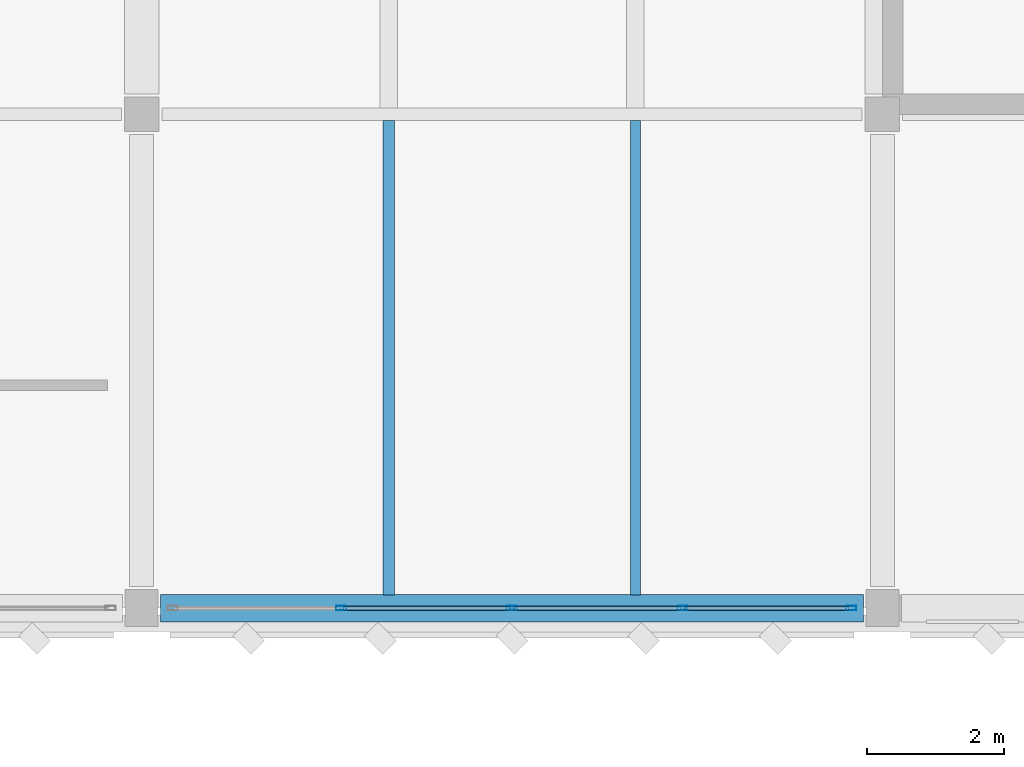
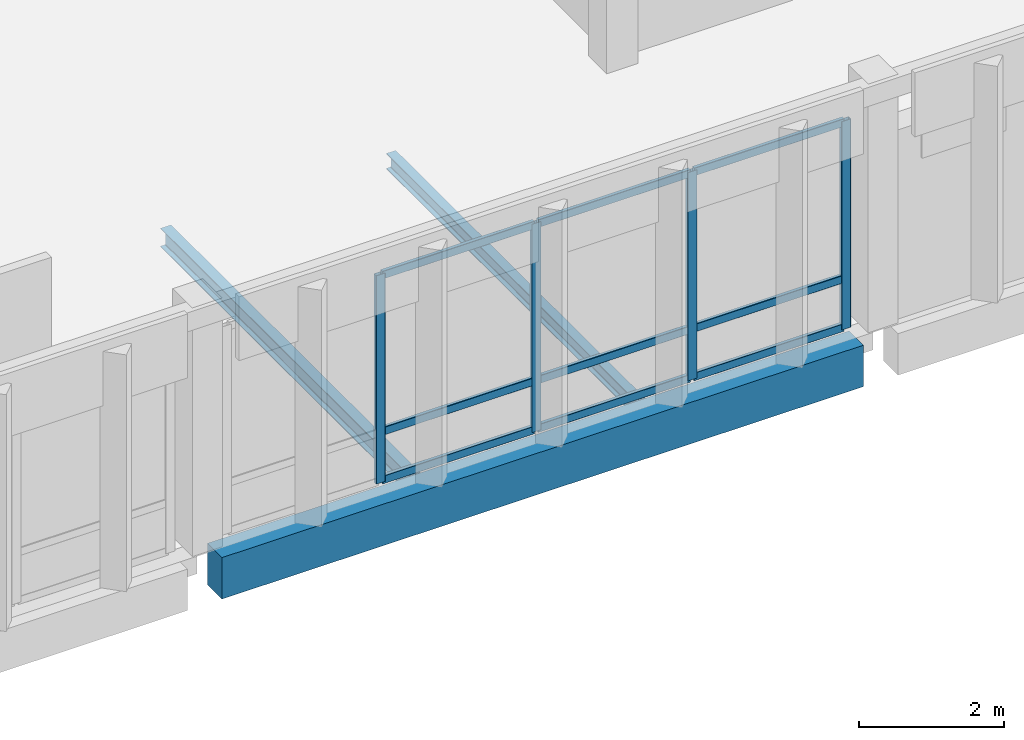
# One storey, part 26 of 72: 13 members, 3 beams, 1 element without a shape of its own.
"""IFC4 building model written with IfcOpenShell, lengths in metres."""

from ifc_helpers import new_model, si_unit, direction, frame, origin, origin_2d, place, context, subcontext, project, spatial, rectangle, hollow_rectangle, i_section, extrude, material, material_profile, profile_set, type_object, element, aggregate, save


model = new_model("IFC4")

# Units and contexts
model_context = context("Model", 3, precision=1e-05, world=origin(), true_north=direction((0.0, 1.0)))
body_context = subcontext(model_context, "Body", "Model", "MODEL_VIEW")
ifc_project = project(units=[si_unit("LENGTHUNIT", "METRE"), si_unit("AREAUNIT", "SQUARE_METRE"), si_unit("VOLUMEUNIT", "CUBIC_METRE"), si_unit("PLANEANGLEUNIT", "RADIAN"), si_unit("MASSUNIT", "GRAM", prefix="KILO")], contexts=[model_context])

# Site, building, storey
site_placement = place(None, origin())
site = spatial("IfcSite", under=ifc_project, at=site_placement, CompositionType="ELEMENT")
building_placement = place(site_placement, origin())
building = spatial("IfcBuilding", under=site, at=building_placement, Name="Lusvemor Sports Hall", CompositionType="ELEMENT")
storey_placement = place(building_placement, frame((0.0, 0.0, 15.0)))
storey = spatial("IfcBuildingStorey", under=building, at=storey_placement, Name="L03", CompositionType="ELEMENT", Elevation=15.0)

# Curtain wall, members
ifc_material_1 = material(Name="Thermally broken bronze-anodized aluminium", Category="aluminium")
curtain_wall_type = type_object("IfcCurtainWallType", Name="CW_WING_B", PredefinedType="NOTDEFINED", material=ifc_material_1)
curtain_wall_placement = place(storey_placement, origin())
curtain_wall = element("IfcCurtainWall", 1, at=curtain_wall_placement, inside=storey, type_object=curtain_wall_type, Name="Curtain Wall CW-L03-S-3-2", PredefinedType="NOTDEFINED")
ifc_material_2 = material(Name="Thermally broken bronze-anodized aluminium", Category="aluminium")
ifc_material_profile_1 = material_profile(ifc_material_2, hollow_rectangle(XDim=0.06494140625, YDim=0.14990234375, WallThickness=0.00390625, InnerFilletRadius=0.00390625, OuterFilletRadius=0.008056640625, at=origin_2d()), Name="CWMUL150x65x4")
ifc_profile_set_1 = profile_set([ifc_material_profile_1], Name="Thermally broken bronze-anodized aluminium")
member_type_1 = type_object("IfcMemberType", Name="CW_MUL_B", PredefinedType="MULLION", material=ifc_profile_set_1)
member_1_placement = place(storey_placement, frame((53.547607421875, 97.199951171875, 0.0), z_axis=(0.0, 0.0, 1.0), x_axis=(0.0, -1.0, 0.0)))
member_1 = element("IfcMember", 2, at=member_1_placement, type_object=member_type_1, Name="CW02 mullion 1", PredefinedType="MULLION", context=body_context, shape_type="SweptSolid", body=[
    extrude(hollow_rectangle(XDim=0.06494140625, YDim=0.14990234375, WallThickness=0.00390625, InnerFilletRadius=0.00390625, OuterFilletRadius=0.008056640625, at=origin_2d()), origin(), (0.0, 0.0, 1.0), 3.52001953125),
])
member_2_placement = place(storey_placement, frame((51.090087890625, 97.199951171875, 0.0), z_axis=(0.0, 0.0, 1.0), x_axis=(0.0, -1.0, 0.0)))
member_2 = element("IfcMember", 3, at=member_2_placement, type_object=member_type_1, Name="CW02 mullion 2", PredefinedType="MULLION", context=body_context, shape_type="SweptSolid", body=[
    extrude(hollow_rectangle(XDim=0.06494140625, YDim=0.14990234375, WallThickness=0.00390625, InnerFilletRadius=0.00390625, OuterFilletRadius=0.008056640625, at=origin_2d()), origin(), (0.0, 0.0, 1.0), 3.52001953125),
])
member_3_placement = place(storey_placement, frame((48.60009765625, 97.199951171875, 0.0), z_axis=(0.0, 0.0, 1.0), x_axis=(0.0, -1.0, 0.0)))
member_3 = element("IfcMember", 4, at=member_3_placement, type_object=member_type_1, Name="CW02 mullion 3", PredefinedType="MULLION", context=body_context, shape_type="SweptSolid", body=[
    extrude(hollow_rectangle(XDim=0.06494140625, YDim=0.14990234375, WallThickness=0.00390625, InnerFilletRadius=0.00390625, OuterFilletRadius=0.008056640625, at=origin_2d()), origin(), (0.0, 0.0, 1.0), 3.52001953125),
])
member_4_placement = place(storey_placement, frame((46.110107421875, 97.199951171875, 0.0), z_axis=(0.0, 0.0, 1.0), x_axis=(0.0, -1.0, 0.0)))
member_4 = element("IfcMember", 5, at=member_4_placement, type_object=member_type_1, Name="CW02 mullion 4", PredefinedType="MULLION", context=body_context, shape_type="SweptSolid", body=[
    extrude(hollow_rectangle(XDim=0.06494140625, YDim=0.14990234375, WallThickness=0.00390625, InnerFilletRadius=0.00390625, OuterFilletRadius=0.008056640625, at=origin_2d()), origin(), (0.0, 0.0, 1.0), 3.52001953125),
])
ifc_material_3 = material(Name="Thermally broken bronze-anodized aluminium", Category="aluminium")
ifc_material_profile_2 = material_profile(ifc_material_3, hollow_rectangle(XDim=0.06005859375, YDim=0.135009765625, WallThickness=0.00390625, InnerFilletRadius=0.00390625, OuterFilletRadius=0.008056640625, at=origin_2d()), Name="CWTRN135x60x4")
ifc_profile_set_2 = profile_set([ifc_material_profile_2], Name="Thermally broken bronze-anodized aluminium")
member_type_2 = type_object("IfcMemberType", Name="CW_TRN_B", PredefinedType="USERDEFINED", material=ifc_profile_set_2)
member_5_placement = place(storey_placement, frame((53.514892578125, 97.199951171875, 0.030029296875), z_axis=(-1.0, 0.0, 0.0), x_axis=(0.0, -1.0, 0.0)))
member_5 = element("IfcMember", 6, at=member_5_placement, type_object=member_type_2, Name="CW02 transom 1.1", ObjectType="TRANSOM", PredefinedType="USERDEFINED", context=body_context, shape_type="SweptSolid", body=[
    extrude(hollow_rectangle(XDim=0.06005859375, YDim=0.135009765625, WallThickness=0.00390625, InnerFilletRadius=0.00390625, OuterFilletRadius=0.008056640625, at=origin_2d()), origin(), (0.0, 0.0, 1.0), 2.392333984375),
])
member_6_placement = place(storey_placement, frame((53.514892578125, 97.199951171875, 0.85009765625), z_axis=(-1.0, 0.0, 0.0), x_axis=(0.0, -1.0, 0.0)))
member_6 = element("IfcMember", 7, at=member_6_placement, type_object=member_type_2, Name="CW02 transom 1.2", ObjectType="TRANSOM", PredefinedType="USERDEFINED", context=body_context, shape_type="SweptSolid", body=[
    extrude(hollow_rectangle(XDim=0.06005859375, YDim=0.135009765625, WallThickness=0.00390625, InnerFilletRadius=0.00390625, OuterFilletRadius=0.008056640625, at=origin_2d()), origin(), (0.0, 0.0, 1.0), 2.392333984375),
])
member_7_placement = place(storey_placement, frame((53.514892578125, 97.199951171875, 3.489990234375), z_axis=(-1.0, 0.0, 0.0), x_axis=(0.0, -1.0, 0.0)))
member_7 = element("IfcMember", 8, at=member_7_placement, type_object=member_type_2, Name="CW02 transom 1.3", ObjectType="TRANSOM", PredefinedType="USERDEFINED", context=body_context, shape_type="SweptSolid", body=[
    extrude(hollow_rectangle(XDim=0.06005859375, YDim=0.135009765625, WallThickness=0.00390625, InnerFilletRadius=0.00390625, OuterFilletRadius=0.008056640625, at=origin_2d()), origin(), (0.0, 0.0, 1.0), 2.392333984375),
])
member_8_placement = place(storey_placement, frame((51.0576171875, 97.199951171875, 0.030029296875), z_axis=(-1.0, 0.0, 0.0), x_axis=(0.0, -1.0, 0.0)))
member_8 = element("IfcMember", 9, at=member_8_placement, type_object=member_type_2, Name="CW02 transom 2.1", ObjectType="TRANSOM", PredefinedType="USERDEFINED", context=body_context, shape_type="SweptSolid", body=[
    extrude(hollow_rectangle(XDim=0.06005859375, YDim=0.135009765625, WallThickness=0.00390625, InnerFilletRadius=0.00390625, OuterFilletRadius=0.008056640625, at=origin_2d()), origin(), (0.0, 0.0, 1.0), 2.425048828125),
])
member_9_placement = place(storey_placement, frame((51.0576171875, 97.199951171875, 0.85009765625), z_axis=(-1.0, 0.0, 0.0), x_axis=(0.0, -1.0, 0.0)))
member_9 = element("IfcMember", 10, at=member_9_placement, type_object=member_type_2, Name="CW02 transom 2.2", ObjectType="TRANSOM", PredefinedType="USERDEFINED", context=body_context, shape_type="SweptSolid", body=[
    extrude(hollow_rectangle(XDim=0.06005859375, YDim=0.135009765625, WallThickness=0.00390625, InnerFilletRadius=0.00390625, OuterFilletRadius=0.008056640625, at=origin_2d()), origin(), (0.0, 0.0, 1.0), 2.425048828125),
])
member_10_placement = place(storey_placement, frame((51.0576171875, 97.199951171875, 3.489990234375), z_axis=(-1.0, 0.0, 0.0), x_axis=(0.0, -1.0, 0.0)))
member_10 = element("IfcMember", 11, at=member_10_placement, type_object=member_type_2, Name="CW02 transom 2.3", ObjectType="TRANSOM", PredefinedType="USERDEFINED", context=body_context, shape_type="SweptSolid", body=[
    extrude(hollow_rectangle(XDim=0.06005859375, YDim=0.135009765625, WallThickness=0.00390625, InnerFilletRadius=0.00390625, OuterFilletRadius=0.008056640625, at=origin_2d()), origin(), (0.0, 0.0, 1.0), 2.425048828125),
])
member_11_placement = place(storey_placement, frame((48.5673828125, 97.199951171875, 0.030029296875), z_axis=(-1.0, 0.0, 0.0), x_axis=(0.0, -1.0, 0.0)))
member_11 = element("IfcMember", 12, at=member_11_placement, type_object=member_type_2, Name="CW02 transom 3.1", ObjectType="TRANSOM", PredefinedType="USERDEFINED", context=body_context, shape_type="SweptSolid", body=[
    extrude(hollow_rectangle(XDim=0.06005859375, YDim=0.135009765625, WallThickness=0.00390625, InnerFilletRadius=0.00390625, OuterFilletRadius=0.008056640625, at=origin_2d()), origin(), (0.0, 0.0, 1.0), 2.4248046875),
])
member_12_placement = place(storey_placement, frame((48.5673828125, 97.199951171875, 0.85009765625), z_axis=(-1.0, 0.0, 0.0), x_axis=(0.0, -1.0, 0.0)))
member_12 = element("IfcMember", 13, at=member_12_placement, type_object=member_type_2, Name="CW02 transom 3.2", ObjectType="TRANSOM", PredefinedType="USERDEFINED", context=body_context, shape_type="SweptSolid", body=[
    extrude(hollow_rectangle(XDim=0.06005859375, YDim=0.135009765625, WallThickness=0.00390625, InnerFilletRadius=0.00390625, OuterFilletRadius=0.008056640625, at=origin_2d()), origin(), (0.0, 0.0, 1.0), 2.4248046875),
])
member_13_placement = place(storey_placement, frame((48.5673828125, 97.199951171875, 3.489990234375), z_axis=(-1.0, 0.0, 0.0), x_axis=(0.0, -1.0, 0.0)))
member_13 = element("IfcMember", 14, at=member_13_placement, type_object=member_type_2, Name="CW02 transom 3.3", ObjectType="TRANSOM", PredefinedType="USERDEFINED", context=body_context, shape_type="SweptSolid", body=[
    extrude(hollow_rectangle(XDim=0.06005859375, YDim=0.135009765625, WallThickness=0.00390625, InnerFilletRadius=0.00390625, OuterFilletRadius=0.008056640625, at=origin_2d()), origin(), (0.0, 0.0, 1.0), 2.4248046875),
])
aggregate(curtain_wall, [member_1, member_2, member_3, member_4, member_5, member_6, member_7, member_8, member_9, member_10, member_11, member_12, member_13])

# Beams
ifc_material_4 = material(Name="Steel S355", Category="steel")
ifc_material_profile_3 = material_profile(ifc_material_4, i_section(OverallWidth=0.14794921875, OverallDepth=0.26611328125, WebThickness=0.007568359375, FlangeThickness=0.012939453125, FilletRadius=0.012939453125, at=origin_2d()), Name="W250x44.8")
ifc_profile_set_3 = profile_set([ifc_material_profile_3], Name="Steel S355")
beam_type_1 = type_object("IfcBeamType", Name="JOIST_ST_250M", PredefinedType="JOIST", material=ifc_profile_set_3)
beam_1_placement = place(storey_placement, frame((50.39990234375, 97.39599609375, -0.376953125), z_axis=(0.0, 1.0, 0.0), x_axis=(-1.0, 0.0, 0.0)))
element("IfcBeam", 15, at=beam_1_placement, inside=storey, type_object=beam_type_1, Name="Secondary Joist L03 5-6/N-P #2", PredefinedType="JOIST", context=body_context, shape_type="SweptSolid", body=[
    extrude(i_section(OverallWidth=0.14794921875, OverallDepth=0.26611328125, WebThickness=0.007568359375, FlangeThickness=0.012939453125, FilletRadius=0.012939453125, at=origin_2d()), origin(), (0.0, 0.0, 1.0), 6.91748046875),
])
ifc_material_5 = material(Name="Steel S355", Category="steel")
ifc_material_profile_4 = material_profile(ifc_material_5, i_section(OverallWidth=0.1669921875, OverallDepth=0.31689453125, WebThickness=0.007568359375, FlangeThickness=0.01318359375, FilletRadius=0.014892578125, at=origin_2d()), Name="W310x52.0")
ifc_profile_set_4 = profile_set([ifc_material_profile_4], Name="Steel S355")
beam_type_2 = type_object("IfcBeamType", Name="JOIST_ST_310M", PredefinedType="JOIST", material=ifc_profile_set_4)
beam_2_placement = place(storey_placement, frame((46.800048828125, 97.39599609375, -0.402587890625), z_axis=(0.0, 1.0, 0.0), x_axis=(-1.0, 0.0, 0.0)))
element("IfcBeam", 16, at=beam_2_placement, inside=storey, type_object=beam_type_2, Name="Secondary Joist L03 5-6/N-P #1", PredefinedType="JOIST", context=body_context, shape_type="SweptSolid", body=[
    extrude(i_section(OverallWidth=0.1669921875, OverallDepth=0.31689453125, WebThickness=0.007568359375, FlangeThickness=0.01318359375, FilletRadius=0.014892578125, at=origin_2d()), origin(), (0.0, 0.0, 1.0), 6.91748046875),
])
ifc_material_6 = material(Name="Concrete C40/50", Category="concrete")
ifc_material_profile_5 = material_profile(ifc_material_6, rectangle(XDim=0.39990234375, YDim=0.699951171875, at=origin_2d()), Name="RC400x700")
ifc_profile_set_5 = profile_set([ifc_material_profile_5], Name="Concrete C40/50")
beam_type_3 = type_object("IfcBeamType", Name="SPAND_EXT_700", PredefinedType="SPANDREL", material=ifc_profile_set_5)
beam_3_placement = place(storey_placement, frame((43.47607421875, 97.199951171875, -0.590087890625), z_axis=(1.0, 0.0, 0.0), x_axis=(0.0, 1.0, 0.0)))
element("IfcBeam", 17, at=beam_3_placement, inside=storey, type_object=beam_type_3, Name="Beam L03 N:5-6", PredefinedType="SPANDREL", context=body_context, shape_type="SweptSolid", body=[
    extrude(rectangle(XDim=0.39990234375, YDim=0.699951171875, at=origin_2d()), origin(), (0.0, 0.0, 1.0), 10.248046875),
])

save(model, "model.ifc")
